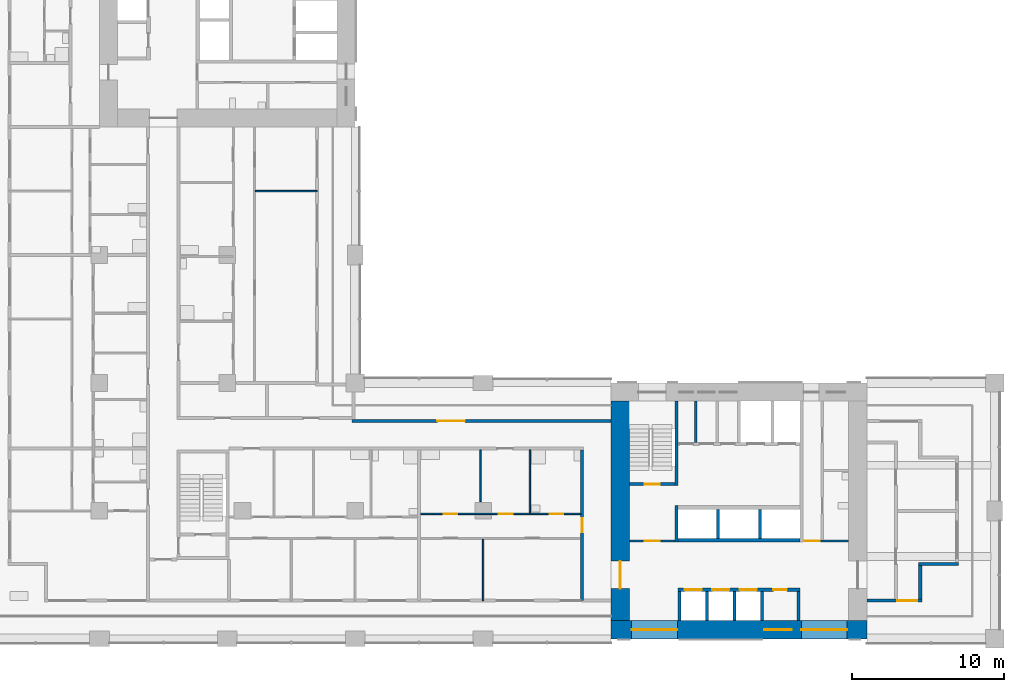
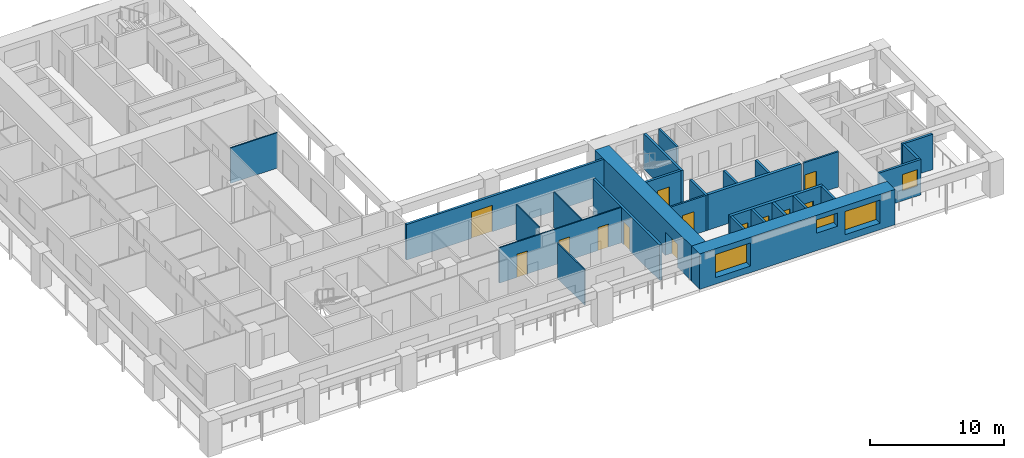
# One storey, part 5 of 17: 27 walls, 13 doors, 4 windows, 17 openings.
"""IFC4 building model written with IfcOpenShell, lengths in metres."""

from ifc_helpers import new_model, si_unit, direction, frame, frame_2d, origin, place, context, subcontext, project, spatial, rectangle, extrude, material, layer, layer_set, type_object, element, fill, save


model = new_model("IFC4")

# Units and contexts
model_context = context("Model", 3, precision=1e-05, world=origin(), true_north=direction((0.0, 1.0)))
body_context = subcontext(model_context, "Body", "Model", "MODEL_VIEW")
ifc_project = project(units=[si_unit("LENGTHUNIT", "METRE"), si_unit("AREAUNIT", "SQUARE_METRE"), si_unit("VOLUMEUNIT", "CUBIC_METRE"), si_unit("PLANEANGLEUNIT", "RADIAN"), si_unit("MASSUNIT", "GRAM", prefix="KILO")], contexts=[model_context])

# Site, building, storey
site_placement = place(None, origin())
site = spatial("IfcSite", under=ifc_project, at=site_placement, CompositionType="ELEMENT")
building_placement = place(site_placement, origin())
building = spatial("IfcBuilding", under=site, at=building_placement, Name="Vermilion Gate Residences", CompositionType="ELEMENT")
storey_placement = place(building_placement, frame((0.0, 0.0, 116.199951171875)))
storey = spatial("IfcBuildingStorey", under=building, at=storey_placement, Name="L29", CompositionType="ELEMENT", Elevation=116.199951171875)

# Wall
ifc_material_1 = material(Name="Masonry blockwork", Category="masonry")
ifc_layer_1 = layer(ifc_material_1, 0.14990234375)
ifc_layer_set_1 = layer_set([ifc_layer_1], Name="BLOCKWORK PARTITION 150 EI 120")
wall_type_1 = type_object("IfcWallType", Name="BLOCKWORK PARTITION 150 EI 120", PredefinedType="PARTITIONING", material=ifc_layer_set_1)
wall_1_placement = place(storey_placement, frame((47.554931640625, 21.300048828125, 0.0), z_axis=(0.0, 0.0, 1.0), x_axis=(0.0, 1.0, 0.0)))
element("IfcWall", 1, at=wall_1_placement, inside=storey, type_object=wall_type_1, Name="Core room partition A29-NR-P0", PredefinedType="PARTITIONING", context=body_context, shape_type="SweptSolid", body=[
    extrude(rectangle(XDim=2.699951171875, YDim=0.14990234375, at=frame_2d((1.35009765625, 0.0))), origin(), (0.0, 0.0, 1.0), 3.219970703125),
])

# Wall, opening, door
wall_2_placement = place(storey_placement, frame((43.199951171875, 14.824951171875, 0.0), z_axis=(0.0, 0.0, 1.0), x_axis=(1.0, 0.0, 0.0)))
wall_2 = element("IfcWall", 2, at=wall_2_placement, inside=storey, type_object=wall_type_1, Name="Core room partition A29-VW-S", PredefinedType="PARTITIONING", context=body_context, shape_type="SweptSolid", body=[
    extrude(rectangle(XDim=3.0, YDim=0.14990234375, at=frame_2d((1.5, 0.0))), origin(), (0.0, 0.0, 1.0), 3.219970703125),
])
opening_1_placement = place(wall_2_placement, frame((1.0, 0.0, 0.0)))
opening_1 = element("IfcOpeningElement", 3, at=opening_1_placement, cuts=wall_2, Name="Opening DK29012", PredefinedType="OPENING", context=body_context, shape_type="SweptSolid", body=[
    extrude(rectangle(XDim=1.0, YDim=2.10009765625, at=frame_2d((0.5, 1.050048828125))), frame((0.0, 0.0849609375, 0.0), z_axis=(0.0, -1.0, 0.0), x_axis=(1.0, 0.0, 0.0)), (0.0, 0.0, 1.0), 0.169921875),
])
ifc_material_2 = material(Name="Steel", Category="steel")
door_type_1 = type_object("IfcDoorType", Name="FIRE DOOR FD60 1000 X 2100", OperationType="SINGLE_SWING_LEFT", PredefinedType="DOOR", material=ifc_material_2)
door_1_placement = place(opening_1_placement, frame((1.0, 0.0, 0.0), z_axis=(0.0, 0.0, 1.0), x_axis=(-1.0, 0.0, 0.0)))
door_1 = element("IfcDoor", 4, at=door_1_placement, inside=storey, type_object=door_type_1, Name="Stair vestibule door A29", OperationType="SINGLE_SWING_RIGHT", OverallHeight=2.10009765625, OverallWidth=1.0, PredefinedType="DOOR", context=body_context, shape_type="SweptSolid", body=[
    extrude(rectangle(XDim=1.0, YDim=2.10009765625, at=frame_2d((0.5, 1.050048828125))), frame((0.0, 0.02490234375, 0.0), z_axis=(0.0, -1.0, 0.0), x_axis=(1.0, 0.0, 0.0)), (0.0, 0.0, 1.0), 0.050048828125),
])
fill(opening_1, door_1)

wall_3_placement = place(storey_placement, frame((54.60009765625, 14.824951171875, 0.0), z_axis=(0.0, 0.0, 1.0), x_axis=(1.0, 0.0, 0.0)))
wall_3 = element("IfcWall", 5, at=wall_3_placement, inside=storey, type_object=wall_type_1, Name="Core room partition A29-ES-S", PredefinedType="PARTITIONING", context=body_context, shape_type="SweptSolid", body=[
    extrude(rectangle(XDim=3.0, YDim=0.14990234375, at=frame_2d((1.5, 0.0))), origin(), (0.0, 0.0, 1.0), 3.219970703125),
])
opening_2_placement = place(wall_3_placement, frame((0.10009765625, 0.0, 0.0)))
opening_2 = element("IfcOpeningElement", 6, at=opening_2_placement, cuts=wall_3, Name="Opening DK29014", PredefinedType="OPENING", context=body_context, shape_type="SweptSolid", body=[
    extrude(rectangle(XDim=1.0, YDim=2.10009765625, at=frame_2d((0.5, 1.050048828125))), frame((0.0, 0.0849609375, 0.0), z_axis=(0.0, -1.0, 0.0), x_axis=(1.0, 0.0, 0.0)), (0.0, 0.0, 1.0), 0.169921875),
])
door_2_placement = place(opening_2_placement, frame((1.0, 0.0, 0.0), z_axis=(0.0, 0.0, 1.0), x_axis=(-1.0, 0.0, 0.0)))
door_2 = element("IfcDoor", 7, at=door_2_placement, inside=storey, type_object=door_type_1, Name="Service corridor door A29", OperationType="SINGLE_SWING_LEFT", OverallHeight=2.10009765625, OverallWidth=1.0, PredefinedType="DOOR", context=body_context, shape_type="SweptSolid", body=[
    extrude(rectangle(XDim=1.0, YDim=2.10009765625, at=frame_2d((0.5, 1.050048828125))), frame((0.0, 0.02490234375, 0.0), z_axis=(0.0, -1.0, 0.0), x_axis=(1.0, 0.0, 0.0)), (0.0, 0.0, 1.0), 0.050048828125),
])
fill(opening_2, door_2)

# Wall, opening, window
ifc_material_3 = material(Name="Insulated steel stud wall with terracotta rainscreen", Category="masonry")
ifc_layer_2 = layer(ifc_material_3, 0.199951171875)
ifc_layer_set_2 = layer_set([ifc_layer_2], Name="EXTERNAL WALL 200 TERRACOTTA RAINSCREEN")
wall_type_2 = type_object("IfcWallType", Name="EXTERNAL WALL 200 TERRACOTTA RAINSCREEN", PredefinedType="SOLIDWALL", material=ifc_layer_set_2)
wall_4_placement = place(storey_placement, frame((58.800048828125, 10.89990234375, 0.0), z_axis=(0.0, 0.0, 1.0), x_axis=(1.0, 0.0, 0.0)))
wall_4 = element("IfcWall", 8, at=wall_4_placement, inside=storey, type_object=wall_type_2, Name="External wall", PredefinedType="SOLIDWALL", context=body_context, shape_type="SweptSolid", body=[
    extrude(rectangle(XDim=3.599853515625, YDim=0.199951171875, at=frame_2d((1.7998046875, 0.0))), origin(), (0.0, 0.0, 1.0), 3.219970703125),
])
opening_3_placement = place(wall_4_placement, frame((2.0, 0.0, 0.89990234375)))
opening_3 = element("IfcOpeningElement", 9, at=opening_3_placement, cuts=wall_4, Name="Opening WE29020", PredefinedType="OPENING", context=body_context, shape_type="SweptSolid", body=[
    extrude(rectangle(XDim=1.300048828125, YDim=1.5, at=frame_2d((0.64990234375, 0.75))), frame((0.0, 0.10986328125, 0.0), z_axis=(0.0, -1.0, 0.0), x_axis=(1.0, 0.0, 0.0)), (0.0, 0.0, 1.0), 0.219970703125),
])
ifc_material_4 = material(Name="Aluminium and clear glass", Category="aluminium")
window_type_1 = type_object("IfcWindowType", Name="WINDOW 1300 X 1500", PartitioningType="SINGLE_PANEL", PredefinedType="WINDOW", material=ifc_material_4)
window_1_placement = place(opening_3_placement, origin())
window_1 = element("IfcWindow", 10, at=window_1_placement, inside=storey, type_object=window_type_1, Name="Window", OverallHeight=1.5, OverallWidth=1.300048828125, PartitioningType="SINGLE_PANEL", PredefinedType="WINDOW", context=body_context, shape_type="SweptSolid", body=[
    extrude(rectangle(XDim=1.300048828125, YDim=1.5, at=frame_2d((0.64990234375, 0.75))), frame((0.0, 0.030029296875, 0.0), z_axis=(0.0, -1.0, 0.0), x_axis=(1.0, 0.0, 0.0)), (0.0, 0.0, 1.0), 0.06005859375),
])
fill(opening_3, window_1)

# Walls
wall_5_placement = place(storey_placement, frame((62.300048828125, 11.0, 0.0), z_axis=(0.0, 0.0, 1.0), x_axis=(0.0, 1.0, 0.0)))
element("IfcWall", 11, at=wall_5_placement, inside=storey, type_object=wall_type_2, Name="External wall", PredefinedType="SOLIDWALL", context=body_context, shape_type="SweptSolid", body=[
    extrude(rectangle(XDim=2.199951171875, YDim=0.199951171875, at=frame_2d((1.10009765625, 0.0))), origin(), (0.0, 0.0, 1.0), 3.219970703125),
])
wall_6_placement = place(storey_placement, frame((62.199951171875, 13.300048828125, 0.0), z_axis=(0.0, 0.0, 1.0), x_axis=(1.0, 0.0, 0.0)))
element("IfcWall", 12, at=wall_6_placement, inside=storey, type_object=wall_type_2, Name="External wall", PredefinedType="SOLIDWALL", context=body_context, shape_type="SweptSolid", body=[
    extrude(rectangle(XDim=2.60009765625, YDim=0.199951171875, at=frame_2d((1.300048828125, 0.0))), origin(), (0.0, 0.0, 1.0), 3.219970703125),
])

# Wall, opening, door
wall_7_placement = place(storey_placement, frame((42.0, 22.699951171875, 0.0), z_axis=(0.0, 0.0, 1.0), x_axis=(-1.0, 0.0, 0.0)))
wall_7 = element("IfcWall", 13, at=wall_7_placement, inside=storey, type_object=wall_type_2, Name="External wall", PredefinedType="SOLIDWALL", context=body_context, shape_type="SweptSolid", body=[
    extrude(rectangle(XDim=17.0, YDim=0.199951171875, at=frame_2d((8.5, 0.0))), origin(), (0.0, 0.0, 1.0), 3.219970703125),
])
opening_4_placement = place(wall_7_placement, frame((9.60009765625, 0.0, 0.0)))
opening_4 = element("IfcOpeningElement", 14, at=opening_4_placement, cuts=wall_7, Name="Opening DE29029", PredefinedType="OPENING", context=body_context, shape_type="SweptSolid", body=[
    extrude(rectangle(XDim=1.800048828125, YDim=2.39990234375, at=frame_2d((0.89990234375, 1.199951171875))), frame((0.0, 0.10986328125, 0.0), z_axis=(0.0, -1.0, 0.0), x_axis=(1.0, 0.0, 0.0)), (0.0, 0.0, 1.0), 0.219970703125),
])
ifc_material_5 = material(Name="Aluminium and clear glass", Category="aluminium")
door_type_2 = type_object("IfcDoorType", Name="GLAZED EXTERNAL DOOR 1800 X 2400", OperationType="DOUBLE_DOOR_SINGLE_SWING", PredefinedType="DOOR", material=ifc_material_5)
door_3_placement = place(opening_4_placement, frame((1.800048828125, 0.0, 0.0), z_axis=(0.0, 0.0, 1.0), x_axis=(-1.0, 0.0, 0.0)))
door_3 = element("IfcDoor", 15, at=door_3_placement, inside=storey, type_object=door_type_2, Name="Gallery door", OperationType="DOUBLE_DOOR_SINGLE_SWING", OverallHeight=2.39990234375, OverallWidth=1.800048828125, PredefinedType="DOOR", context=body_context, shape_type="SweptSolid", body=[
    extrude(rectangle(XDim=1.800048828125, YDim=2.39990234375, at=frame_2d((0.89990234375, 1.199951171875))), frame((0.0, 0.02490234375, 0.0), z_axis=(0.0, -1.0, 0.0), x_axis=(1.0, 0.0, 0.0)), (0.0, 0.0, 1.0), 0.050048828125),
])
fill(opening_4, door_3)

# Wall, openings, doors
ifc_material_6 = material(Name="Plasterboard on steel studs", Category="steel")
ifc_layer_3 = layer(ifc_material_6, 0.10009765625)
ifc_layer_set_3 = layer_set([ifc_layer_3], Name="PARTITION 100")
wall_type_3 = type_object("IfcWallType", Name="PARTITION 100", PredefinedType="PARTITIONING", material=ifc_layer_set_3)
wall_8_placement = place(storey_placement, frame((29.5, 16.60009765625, 0.0), z_axis=(0.0, 0.0, 1.0), x_axis=(1.0, 0.0, 0.0)))
wall_8 = element("IfcWall", 16, at=wall_8_placement, inside=storey, type_object=wall_type_3, Name="Partition", PredefinedType="PARTITIONING", context=body_context, shape_type="SweptSolid", body=[
    extrude(rectangle(XDim=10.5, YDim=0.10009765625, at=frame_2d((5.25, 0.0))), origin(), (0.0, 0.0, 1.0), 3.219970703125),
])
opening_5_placement = place(wall_8_placement, frame((5.133056640625, 0.0, 0.0)))
opening_5 = element("IfcOpeningElement", 17, at=opening_5_placement, cuts=wall_8, Name="Opening DA28011", PredefinedType="OPENING", context=body_context, shape_type="SweptSolid", body=[
    extrude(rectangle(XDim=0.89990234375, YDim=2.10009765625, at=frame_2d((0.449951171875, 1.050048828125))), frame((0.0, 0.06005859375, 0.0), z_axis=(0.0, -1.0, 0.0), x_axis=(1.0, 0.0, 0.0)), (0.0, 0.0, 1.0), 0.1201171875),
])
opening_6_placement = place(wall_8_placement, frame((1.5, 0.0, 0.0)))
opening_6 = element("IfcOpeningElement", 18, at=opening_6_placement, cuts=wall_8, Name="Opening DA28012", PredefinedType="OPENING", context=body_context, shape_type="SweptSolid", body=[
    extrude(rectangle(XDim=0.89990234375, YDim=2.10009765625, at=frame_2d((0.449951171875, 1.050048828125))), frame((0.0, 0.06005859375, 0.0), z_axis=(0.0, -1.0, 0.0), x_axis=(1.0, 0.0, 0.0)), (0.0, 0.0, 1.0), 0.1201171875),
])
opening_7_placement = place(wall_8_placement, frame((8.467041015625, 0.0, 0.0)))
opening_7 = element("IfcOpeningElement", 19, at=opening_7_placement, cuts=wall_8, Name="Opening DA28013", PredefinedType="OPENING", context=body_context, shape_type="SweptSolid", body=[
    extrude(rectangle(XDim=0.89990234375, YDim=2.10009765625, at=frame_2d((0.449951171875, 1.050048828125))), frame((0.0, 0.06005859375, 0.0), z_axis=(0.0, -1.0, 0.0), x_axis=(1.0, 0.0, 0.0)), (0.0, 0.0, 1.0), 0.1201171875),
])
ifc_material_7 = material(Name="Timber", Category="wood")
door_type_3 = type_object("IfcDoorType", Name="INTERIOR DOOR 900 X 2100", OperationType="SINGLE_SWING_LEFT", PredefinedType="DOOR", material=ifc_material_7)
door_4_placement = place(opening_5_placement, origin())
door_4 = element("IfcDoor", 20, at=door_4_placement, inside=storey, type_object=door_type_3, Name="Interior door", OperationType="SINGLE_SWING_LEFT", OverallHeight=2.10009765625, OverallWidth=0.89990234375, PredefinedType="DOOR", context=body_context, shape_type="SweptSolid", body=[
    extrude(rectangle(XDim=0.89990234375, YDim=2.10009765625, at=frame_2d((0.449951171875, 1.050048828125))), frame((0.0, 0.02490234375, 0.0), z_axis=(0.0, -1.0, 0.0), x_axis=(1.0, 0.0, 0.0)), (0.0, 0.0, 1.0), 0.050048828125),
])
fill(opening_5, door_4)
door_5_placement = place(opening_6_placement, origin())
door_5 = element("IfcDoor", 21, at=door_5_placement, inside=storey, type_object=door_type_3, Name="Interior door", OperationType="SINGLE_SWING_RIGHT", OverallHeight=2.10009765625, OverallWidth=0.89990234375, PredefinedType="DOOR", context=body_context, shape_type="SweptSolid", body=[
    extrude(rectangle(XDim=0.89990234375, YDim=2.10009765625, at=frame_2d((0.449951171875, 1.050048828125))), frame((0.0, 0.02490234375, 0.0), z_axis=(0.0, -1.0, 0.0), x_axis=(1.0, 0.0, 0.0)), (0.0, 0.0, 1.0), 0.050048828125),
])
fill(opening_6, door_5)
door_6_placement = place(opening_7_placement, origin())
door_6 = element("IfcDoor", 22, at=door_6_placement, inside=storey, type_object=door_type_3, Name="Interior door", OperationType="SINGLE_SWING_LEFT", OverallHeight=2.10009765625, OverallWidth=0.89990234375, PredefinedType="DOOR", context=body_context, shape_type="SweptSolid", body=[
    extrude(rectangle(XDim=0.89990234375, YDim=2.10009765625, at=frame_2d((0.449951171875, 1.050048828125))), frame((0.0, 0.02490234375, 0.0), z_axis=(0.0, -1.0, 0.0), x_axis=(1.0, 0.0, 0.0)), (0.0, 0.0, 1.0), 0.050048828125),
])
fill(opening_7, door_6)

# Walls
wall_9_placement = place(storey_placement, frame((18.64990234375, 37.800048828125, 0.0), z_axis=(0.0, 0.0, 1.0), x_axis=(1.0, 0.0, 0.0)))
element("IfcWall", 23, at=wall_9_placement, inside=storey, type_object=wall_type_3, Name="Partition", PredefinedType="PARTITIONING", context=body_context, shape_type="SweptSolid", body=[
    extrude(rectangle(XDim=4.050048828125, YDim=0.10009765625, at=frame_2d((2.02490234375, 0.0))), origin(), (0.0, 0.0, 1.0), 3.219970703125),
])
wall_10_placement = place(storey_placement, frame((33.43310546875, 17.39990234375, 0.0), z_axis=(0.0, 0.0, 1.0), x_axis=(0.0, 1.0, 0.0)))
element("IfcWall", 24, at=wall_10_placement, inside=storey, type_object=wall_type_3, Name="Partition", PredefinedType="PARTITIONING", context=body_context, shape_type="SweptSolid", body=[
    extrude(rectangle(XDim=3.400146484375, YDim=0.10009765625, at=frame_2d((1.7001953125, 0.0))), origin(), (0.0, 0.0, 1.0), 3.219970703125),
])
wall_11_placement = place(storey_placement, frame((33.60009765625, 10.89990234375, 0.0), z_axis=(0.0, 0.0, 1.0), x_axis=(0.0, 1.0, 0.0)))
element("IfcWall", 25, at=wall_11_placement, inside=storey, type_object=wall_type_3, Name="Partition", PredefinedType="PARTITIONING", context=body_context, shape_type="SweptSolid", body=[
    extrude(rectangle(XDim=4.050048828125, YDim=0.10009765625, at=frame_2d((2.02490234375, 0.0))), origin(), (0.0, 0.0, 1.0), 3.219970703125),
])
wall_12_placement = place(storey_placement, frame((36.6669921875, 16.64990234375, 0.0), z_axis=(0.0, 0.0, 1.0), x_axis=(0.0, 1.0, 0.0)))
element("IfcWall", 26, at=wall_12_placement, inside=storey, type_object=wall_type_3, Name="Partition", PredefinedType="PARTITIONING", context=body_context, shape_type="SweptSolid", body=[
    extrude(rectangle(XDim=4.150146484375, YDim=0.10009765625, at=frame_2d((2.0751953125, 0.0))), origin(), (0.0, 0.0, 1.0), 3.219970703125),
])

# Wall, opening, door
ifc_material_8 = material(Name="Fire-rated plasterboard on steel studs", Category="steel")
ifc_layer_4 = layer(ifc_material_8, 0.199951171875)
ifc_layer_set_4 = layer_set([ifc_layer_4], Name="PARTY WALL 200 EI 120")
wall_type_4 = type_object("IfcWallType", Name="PARTY WALL 200 EI 120", PredefinedType="PARTITIONING", material=ifc_layer_set_4)
wall_13_placement = place(storey_placement, frame((40.10009765625, 10.89990234375, 0.0), z_axis=(0.0, 0.0, 1.0), x_axis=(0.0, 1.0, 0.0)))
wall_13 = element("IfcWall", 27, at=wall_13_placement, inside=storey, type_object=wall_type_4, Name="Party and corridor wall", PredefinedType="PARTITIONING", context=body_context, shape_type="SweptSolid", body=[
    extrude(rectangle(XDim=9.900146484375, YDim=0.199951171875, at=frame_2d((4.9501953125, 0.0))), origin(), (0.0, 0.0, 1.0), 3.219970703125),
])
opening_8_placement = place(wall_13_placement, frame((4.5, 0.0, 0.0)))
opening_8 = element("IfcOpeningElement", 28, at=opening_8_placement, cuts=wall_13, Name="Opening DA28048", PredefinedType="OPENING", context=body_context, shape_type="SweptSolid", body=[
    extrude(rectangle(XDim=0.89990234375, YDim=2.10009765625, at=frame_2d((0.449951171875, 1.050048828125))), frame((0.0, 0.10986328125, 0.0), z_axis=(0.0, -1.0, 0.0), x_axis=(1.0, 0.0, 0.0)), (0.0, 0.0, 1.0), 0.219970703125),
])
door_7_placement = place(opening_8_placement, origin())
door_7 = element("IfcDoor", 29, at=door_7_placement, inside=storey, type_object=door_type_3, Name="Interior door", OperationType="SINGLE_SWING_RIGHT", OverallHeight=2.10009765625, OverallWidth=0.89990234375, PredefinedType="DOOR", context=body_context, shape_type="SweptSolid", body=[
    extrude(rectangle(XDim=0.89990234375, YDim=2.10009765625, at=frame_2d((0.449951171875, 1.050048828125))), frame((0.0, 0.02490234375, 0.0), z_axis=(0.0, -1.0, 0.0), x_axis=(1.0, 0.0, 0.0)), (0.0, 0.0, 1.0), 0.050048828125),
])
fill(opening_8, door_7)

# Walls
ifc_material_9 = material(Name="Concrete C60", Category="concrete")
ifc_layer_5 = layer(ifc_material_9, 0.199951171875)
ifc_layer_set_5 = layer_set([ifc_layer_5], Name="RC CORE INTERNAL WALL 200 C60")
wall_type_5 = type_object("IfcWallType", Name="RC CORE INTERNAL WALL 200 C60", PredefinedType="SHEAR", material=ifc_layer_set_5)
for number, where, z_axis, x_axis, name in (
    (30, (46.5, 9.60009765625, 0.0), (0.0, 0.0, 1.0), (0.0, 1.0, 0.0), "Core internal wall A29-LR-D0"),
    (31, (48.300048828125, 9.60009765625, 0.0), (0.0, 0.0, 1.0), (0.0, 1.0, 0.0), "Core internal wall A29-LR-D1"),
    (32, (50.10009765625, 9.60009765625, 0.0), (0.0, 0.0, 1.0), (0.0, 1.0, 0.0), "Core internal wall A29-LR-D2"),
    (33, (51.89990234375, 9.60009765625, 0.0), (0.0, 0.0, 1.0), (0.0, 1.0, 0.0), "Core internal wall A29-LR-D3"),
    (34, (54.300048828125, 9.60009765625, 0.0), (0.0, 0.0, 1.0), (0.0, 1.0, 0.0), "Core internal wall A29-LR-DE"),
    (35, (49.033447265625, 15.0, 0.0), (0.0, 0.0, 1.0), (0.0, 1.0, 0.0), "Core internal wall A29-HR-D1"),
    (36, (51.7666015625, 15.0, 0.0), (0.0, 0.0, 1.0), (0.0, 1.0, 0.0), "Core internal wall A29-HR-D2"),
):
    element("IfcWall", number, at=place(storey_placement, frame(where, z_axis=z_axis, x_axis=x_axis)), inside=storey, type_object=wall_type_5, Name=name, PredefinedType="SHEAR", context=body_context, shape_type="SweptSolid", body=[
        extrude(rectangle(XDim=1.89990234375, YDim=0.199951171875, at=frame_2d((0.949951171875, 0.0))), origin(), (0.0, 0.0, 1.0), 3.219970703125),
    ])
wall_14_placement = place(storey_placement, frame((46.300048828125, 14.75, 0.0), z_axis=(0.0, 0.0, 1.0), x_axis=(0.0, 1.0, 0.0)))
element("IfcWall", 37, at=wall_14_placement, inside=storey, type_object=wall_type_5, Name="Core internal wall A29-WDIV1", PredefinedType="SHEAR", context=body_context, shape_type="SweptSolid", body=[
    extrude(rectangle(XDim=2.39990234375, YDim=0.199951171875, at=frame_2d((1.199951171875, 0.0))), origin(), (0.0, 0.0, 1.0), 3.219970703125),
])
wall_15_placement = place(storey_placement, frame((46.300048828125, 18.449951171875, 0.0), z_axis=(0.0, 0.0, 1.0), x_axis=(0.0, 1.0, 0.0)))
element("IfcWall", 38, at=wall_15_placement, inside=storey, type_object=wall_type_5, Name="Core internal wall A29-WDIV2", PredefinedType="SHEAR", context=body_context, shape_type="SweptSolid", body=[
    extrude(rectangle(XDim=5.550048828125, YDim=0.199951171875, at=frame_2d((2.77490234375, 0.0))), origin(), (0.0, 0.0, 1.0), 3.219970703125),
])

# Wall, opening, door
wall_16_placement = place(storey_placement, frame((43.199951171875, 18.550048828125, 0.0), z_axis=(0.0, 0.0, 1.0), x_axis=(1.0, 0.0, 0.0)))
wall_16 = element("IfcWall", 39, at=wall_16_placement, inside=storey, type_object=wall_type_5, Name="Core internal wall A29-STW-S", PredefinedType="SHEAR", context=body_context, shape_type="SweptSolid", body=[
    extrude(rectangle(XDim=3.0, YDim=0.199951171875, at=frame_2d((1.5, 0.0))), origin(), (0.0, 0.0, 1.0), 3.219970703125),
])
opening_9_placement = place(wall_16_placement, frame((1.0, 0.0, 0.0)))
opening_9 = element("IfcOpeningElement", 40, at=opening_9_placement, cuts=wall_16, Name="Opening DK29013", PredefinedType="OPENING", context=body_context, shape_type="SweptSolid", body=[
    extrude(rectangle(XDim=1.0, YDim=2.10009765625, at=frame_2d((0.5, 1.050048828125))), frame((0.0, 0.10986328125, 0.0), z_axis=(0.0, -1.0, 0.0), x_axis=(1.0, 0.0, 0.0)), (0.0, 0.0, 1.0), 0.219970703125),
])
door_8_placement = place(opening_9_placement, origin())
door_8 = element("IfcDoor", 41, at=door_8_placement, inside=storey, type_object=door_type_1, Name="Stair door A29", OperationType="SINGLE_SWING_LEFT", OverallHeight=2.10009765625, OverallWidth=1.0, PredefinedType="DOOR", context=body_context, shape_type="SweptSolid", body=[
    extrude(rectangle(XDim=1.0, YDim=2.10009765625, at=frame_2d((0.5, 1.050048828125))), frame((0.0, 0.02490234375, 0.0), z_axis=(0.0, -1.0, 0.0), x_axis=(1.0, 0.0, 0.0)), (0.0, 0.0, 1.0), 0.050048828125),
])
fill(opening_9, door_8)

ifc_material_10 = material(Name="Concrete C70", Category="concrete")
ifc_layer_6 = layer(ifc_material_10, 1.199951171875)
ifc_layer_set_6 = layer_set([ifc_layer_6], Name="RC CORE WALL 1200 C70")
wall_type_6 = type_object("IfcWallType", Name="RC CORE WALL 1200 C70", PredefinedType="SHEAR", material=ifc_layer_set_6)
wall_17_placement = place(storey_placement, frame((42.60009765625, 9.60009765625, 0.0), z_axis=(0.0, 0.0, 1.0), x_axis=(0.0, 1.0, 0.0)))
wall_17 = element("IfcWall", 42, at=wall_17_placement, inside=storey, type_object=wall_type_6, Name="Core wall A29-OUT-FR", PredefinedType="SHEAR", context=body_context, shape_type="SweptSolid", body=[
    extrude(rectangle(XDim=14.39990234375, YDim=1.199951171875, at=frame_2d((7.199951171875, 0.0))), origin(), (0.0, 0.0, 1.0), 3.219970703125),
])
opening_10_placement = place(wall_17_placement, frame((2.10009765625, 0.0, 0.0)))
opening_10 = element("IfcOpeningElement", 43, at=opening_10_placement, cuts=wall_17, Name="Opening DK29001", PredefinedType="OPENING", context=body_context, shape_type="SweptSolid", body=[
    extrude(rectangle(XDim=1.800048828125, YDim=2.10009765625, at=frame_2d((0.89990234375, 1.050048828125))), frame((0.0, 0.60986328125, 0.0), z_axis=(0.0, -1.0, 0.0), x_axis=(1.0, 0.0, 0.0)), (0.0, 0.0, 1.0), 1.219970703125),
])
ifc_material_11 = material(Name="Steel", Category="steel")
door_type_4 = type_object("IfcDoorType", Name="CORE LOBBY DOOR FD60 1800 X 2100", OperationType="DOUBLE_DOOR_SINGLE_SWING", PredefinedType="DOOR", material=ifc_material_11)
door_9_placement = place(opening_10_placement, frame((1.800048828125, 0.0, 0.0), z_axis=(0.0, 0.0, 1.0), x_axis=(-1.0, 0.0, 0.0)))
door_9 = element("IfcDoor", 44, at=door_9_placement, inside=storey, type_object=door_type_4, Name="Core lobby door A29", OperationType="DOUBLE_DOOR_SINGLE_SWING", OverallHeight=2.10009765625, OverallWidth=1.800048828125, PredefinedType="DOOR", context=body_context, shape_type="SweptSolid", body=[
    extrude(rectangle(XDim=1.800048828125, YDim=2.10009765625, at=frame_2d((0.89990234375, 1.050048828125))), frame((0.0, 0.02490234375, 0.0), z_axis=(0.0, -1.0, 0.0), x_axis=(1.0, 0.0, 0.0)), (0.0, 0.0, 1.0), 0.050048828125),
])
fill(opening_10, door_9)

# Wall, openings, windows
ifc_material_12 = material(Name="Concrete C70 red-oxide pigmented", Category="concrete")
ifc_layer_7 = layer(ifc_material_12, 1.199951171875)
ifc_layer_set_7 = layer_set([ifc_layer_7], Name="RC CORE WALL 1200 C70 RED OXIDE")
wall_type_7 = type_object("IfcWallType", Name="RC CORE WALL 1200 C70 RED OXIDE", PredefinedType="SHEAR", material=ifc_layer_set_7)
wall_18_placement = place(storey_placement, frame((42.0, 9.0, 0.0), z_axis=(0.0, 0.0, 1.0), x_axis=(1.0, 0.0, 0.0)))
wall_18 = element("IfcWall", 45, at=wall_18_placement, inside=storey, type_object=wall_type_7, Name="Core wall A29-OUT-B0", PredefinedType="SHEAR", context=body_context, shape_type="SweptSolid", body=[
    extrude(rectangle(XDim=16.800048828125, YDim=1.199951171875, at=frame_2d((8.39990234375, 0.0))), origin(), (0.0, 0.0, 1.0), 3.219970703125),
])
opening_11_placement = place(wall_18_placement, frame((1.35009765625, 0.0, 0.60009765625)))
opening_11 = element("IfcOpeningElement", 46, at=opening_11_placement, cuts=wall_18, Name="Opening WKA2901", PredefinedType="OPENING", context=body_context, shape_type="SweptSolid", body=[
    extrude(rectangle(XDim=3.0, YDim=2.10009765625, at=frame_2d((1.5, 1.050048828125))), frame((0.0, 0.60986328125, 0.0), z_axis=(0.0, -1.0, 0.0), x_axis=(1.0, 0.0, 0.0)), (0.0, 0.0, 1.0), 1.219970703125),
])
opening_12_placement = place(wall_18_placement, frame((10.050048828125, 0.0, 1.60009765625)))
opening_12 = element("IfcOpeningElement", 47, at=opening_12_placement, cuts=wall_18, Name="Opening WKA2902", PredefinedType="OPENING", context=body_context, shape_type="SweptSolid", body=[
    extrude(rectangle(XDim=1.800048828125, YDim=1.199951171875, at=frame_2d((0.89990234375, 0.60009765625))), frame((0.0, 0.60986328125, 0.0), z_axis=(0.0, -1.0, 0.0), x_axis=(1.0, 0.0, 0.0)), (0.0, 0.0, 1.0), 1.219970703125),
])
opening_13_placement = place(wall_18_placement, frame((12.5, 0.0, 0.60009765625)))
opening_13 = element("IfcOpeningElement", 48, at=opening_13_placement, cuts=wall_18, Name="Opening WKA2903", PredefinedType="OPENING", context=body_context, shape_type="SweptSolid", body=[
    extrude(rectangle(XDim=3.0, YDim=2.10009765625, at=frame_2d((1.5, 1.050048828125))), frame((0.0, 0.60986328125, 0.0), z_axis=(0.0, -1.0, 0.0), x_axis=(1.0, 0.0, 0.0)), (0.0, 0.0, 1.0), 1.219970703125),
])
ifc_material_13 = material(Name="Aluminium and clear glass", Category="aluminium")
window_type_2 = type_object("IfcWindowType", Name="CORE LOBBY WINDOW 3000 X 2100", PartitioningType="SINGLE_PANEL", PredefinedType="WINDOW", material=ifc_material_13)
window_2_placement = place(opening_11_placement, origin())
window_2 = element("IfcWindow", 49, at=window_2_placement, inside=storey, type_object=window_type_2, Name="Core lobby window", OverallHeight=2.10009765625, OverallWidth=3.0, PartitioningType="SINGLE_PANEL", PredefinedType="WINDOW", context=body_context, shape_type="SweptSolid", body=[
    extrude(rectangle(XDim=3.0, YDim=2.10009765625, at=frame_2d((1.5, 1.050048828125))), frame((0.0, 0.030029296875, 0.0), z_axis=(0.0, -1.0, 0.0), x_axis=(1.0, 0.0, 0.0)), (0.0, 0.0, 1.0), 0.06005859375),
])
fill(opening_11, window_2)
window_3_placement = place(opening_13_placement, origin())
window_3 = element("IfcWindow", 50, at=window_3_placement, inside=storey, type_object=window_type_2, Name="Core lobby window", OverallHeight=2.10009765625, OverallWidth=3.0, PartitioningType="SINGLE_PANEL", PredefinedType="WINDOW", context=body_context, shape_type="SweptSolid", body=[
    extrude(rectangle(XDim=3.0, YDim=2.10009765625, at=frame_2d((1.5, 1.050048828125))), frame((0.0, 0.030029296875, 0.0), z_axis=(0.0, -1.0, 0.0), x_axis=(1.0, 0.0, 0.0)), (0.0, 0.0, 1.0), 0.06005859375),
])
fill(opening_13, window_3)
ifc_material_14 = material(Name="Aluminium frame with louvre blades", Category="aluminium")
window_type_3 = type_object("IfcWindowType", Name="CORE LOUVRE 1800 X 1200", PartitioningType="SINGLE_PANEL", PredefinedType="WINDOW", material=ifc_material_14)
window_4_placement = place(opening_12_placement, origin())
window_4 = element("IfcWindow", 51, at=window_4_placement, inside=storey, type_object=window_type_3, Name="Core louvre", OverallHeight=1.199951171875, OverallWidth=1.800048828125, PartitioningType="SINGLE_PANEL", PredefinedType="WINDOW", context=body_context, shape_type="SweptSolid", body=[
    extrude(rectangle(XDim=1.800048828125, YDim=1.199951171875, at=frame_2d((0.89990234375, 0.60009765625))), frame((0.0, 0.030029296875, 0.0), z_axis=(0.0, -1.0, 0.0), x_axis=(1.0, 0.0, 0.0)), (0.0, 0.0, 1.0), 0.06005859375),
])
fill(opening_12, window_4)

# Wall, openings, doors
ifc_material_15 = material(Name="Concrete C60", Category="concrete")
ifc_layer_8 = layer(ifc_material_15, 0.25)
ifc_layer_set_8 = layer_set([ifc_layer_8], Name="RC LIFT SHAFT WALL 250 C60")
wall_type_8 = type_object("IfcWallType", Name="RC LIFT SHAFT WALL 250 C60", PredefinedType="SHEAR", material=ifc_layer_set_8)
wall_19_placement = place(storey_placement, frame((46.39990234375, 11.625, 0.0), z_axis=(0.0, 0.0, 1.0), x_axis=(1.0, 0.0, 0.0)))
wall_19 = element("IfcWall", 52, at=wall_19_placement, inside=storey, type_object=wall_type_8, Name="Lift shaft wall A29-LR-F", PredefinedType="SHEAR", context=body_context, shape_type="SweptSolid", body=[
    extrude(rectangle(XDim=8.0, YDim=0.25, at=frame_2d((4.0, 0.0))), origin(), (0.0, 0.0, 1.0), 3.219970703125),
])
opening_14_placement = place(wall_19_placement, frame((0.449951171875, 0.0, 0.0)))
opening_14 = element("IfcOpeningElement", 53, at=opening_14_placement, cuts=wall_19, Name="Opening LD", PredefinedType="OPENING", context=body_context, shape_type="SweptSolid", body=[
    extrude(rectangle(XDim=1.10009765625, YDim=2.10009765625, at=frame_2d((0.550048828125, 1.050048828125))), frame((0.0, 0.135009765625, 0.0), z_axis=(0.0, -1.0, 0.0), x_axis=(1.0, 0.0, 0.0)), (0.0, 0.0, 1.0), 0.27001953125),
])
opening_15_placement = place(wall_19_placement, frame((2.25, 0.0, 0.0)))
opening_15 = element("IfcOpeningElement", 54, at=opening_15_placement, cuts=wall_19, Name="Opening LD", PredefinedType="OPENING", context=body_context, shape_type="SweptSolid", body=[
    extrude(rectangle(XDim=1.10009765625, YDim=2.10009765625, at=frame_2d((0.550048828125, 1.050048828125))), frame((0.0, 0.135009765625, 0.0), z_axis=(0.0, -1.0, 0.0), x_axis=(1.0, 0.0, 0.0)), (0.0, 0.0, 1.0), 0.27001953125),
])
opening_16_placement = place(wall_19_placement, frame((4.050048828125, 0.0, 0.0)))
opening_16 = element("IfcOpeningElement", 55, at=opening_16_placement, cuts=wall_19, Name="Opening LD", PredefinedType="OPENING", context=body_context, shape_type="SweptSolid", body=[
    extrude(rectangle(XDim=1.10009765625, YDim=2.10009765625, at=frame_2d((0.550048828125, 1.050048828125))), frame((0.0, 0.135009765625, 0.0), z_axis=(0.0, -1.0, 0.0), x_axis=(1.0, 0.0, 0.0)), (0.0, 0.0, 1.0), 0.27001953125),
])
opening_17_placement = place(wall_19_placement, frame((6.25, 0.0, 0.0)))
opening_17 = element("IfcOpeningElement", 56, at=opening_17_placement, cuts=wall_19, Name="Opening DK29006", PredefinedType="OPENING", context=body_context, shape_type="SweptSolid", body=[
    extrude(rectangle(XDim=0.89990234375, YDim=2.10009765625, at=frame_2d((0.449951171875, 1.050048828125))), frame((0.0, 0.135009765625, 0.0), z_axis=(0.0, -1.0, 0.0), x_axis=(1.0, 0.0, 0.0)), (0.0, 0.0, 1.0), 0.27001953125),
])
ifc_material_16 = material(Name="Stainless steel", Category="steel")
door_type_5 = type_object("IfcDoorType", Name="LIFT LANDING DOOR E60 1100 X 2100", OperationType="DOUBLE_DOOR_SLIDING", PredefinedType="DOOR", material=ifc_material_16)
door_10_placement = place(opening_14_placement, origin())
door_10 = element("IfcDoor", 57, at=door_10_placement, inside=storey, type_object=door_type_5, Name="Lift landing door LRA1", OperationType="DOUBLE_DOOR_SLIDING", OverallHeight=2.10009765625, OverallWidth=1.10009765625, PredefinedType="DOOR", context=body_context, shape_type="SweptSolid", body=[
    extrude(rectangle(XDim=1.10009765625, YDim=2.10009765625, at=frame_2d((0.550048828125, 1.050048828125))), frame((0.0, 0.02490234375, 0.0), z_axis=(0.0, -1.0, 0.0), x_axis=(1.0, 0.0, 0.0)), (0.0, 0.0, 1.0), 0.050048828125),
])
fill(opening_14, door_10)
door_11_placement = place(opening_15_placement, origin())
door_11 = element("IfcDoor", 58, at=door_11_placement, inside=storey, type_object=door_type_5, Name="Lift landing door LRA2", OperationType="DOUBLE_DOOR_SLIDING", OverallHeight=2.10009765625, OverallWidth=1.10009765625, PredefinedType="DOOR", context=body_context, shape_type="SweptSolid", body=[
    extrude(rectangle(XDim=1.10009765625, YDim=2.10009765625, at=frame_2d((0.550048828125, 1.050048828125))), frame((0.0, 0.02490234375, 0.0), z_axis=(0.0, -1.0, 0.0), x_axis=(1.0, 0.0, 0.0)), (0.0, 0.0, 1.0), 0.050048828125),
])
fill(opening_15, door_11)
door_12_placement = place(opening_16_placement, origin())
door_12 = element("IfcDoor", 59, at=door_12_placement, inside=storey, type_object=door_type_5, Name="Lift landing door LRA3", OperationType="DOUBLE_DOOR_SLIDING", OverallHeight=2.10009765625, OverallWidth=1.10009765625, PredefinedType="DOOR", context=body_context, shape_type="SweptSolid", body=[
    extrude(rectangle(XDim=1.10009765625, YDim=2.10009765625, at=frame_2d((0.550048828125, 1.050048828125))), frame((0.0, 0.02490234375, 0.0), z_axis=(0.0, -1.0, 0.0), x_axis=(1.0, 0.0, 0.0)), (0.0, 0.0, 1.0), 0.050048828125),
])
fill(opening_16, door_12)
ifc_material_17 = material(Name="Steel", Category="steel")
door_type_6 = type_object("IfcDoorType", Name="SERVICE ROOM DOOR FD60 900 X 2100", OperationType="SINGLE_SWING_LEFT", PredefinedType="DOOR", material=ifc_material_17)
door_13_placement = place(opening_17_placement, frame((0.89990234375, 0.0, 0.0), z_axis=(0.0, 0.0, 1.0), x_axis=(-1.0, 0.0, 0.0)))
door_13 = element("IfcDoor", 60, at=door_13_placement, inside=storey, type_object=door_type_6, Name="Cleaner's store A29", OperationType="SINGLE_SWING_RIGHT", OverallHeight=2.10009765625, OverallWidth=0.89990234375, PredefinedType="DOOR", context=body_context, shape_type="SweptSolid", body=[
    extrude(rectangle(XDim=0.89990234375, YDim=2.10009765625, at=frame_2d((0.449951171875, 1.050048828125))), frame((0.0, 0.02490234375, 0.0), z_axis=(0.0, -1.0, 0.0), x_axis=(1.0, 0.0, 0.0)), (0.0, 0.0, 1.0), 0.050048828125),
])
fill(opening_17, door_13)

# Wall
wall_20_placement = place(storey_placement, frame((46.39990234375, 14.875, 0.0), z_axis=(0.0, 0.0, 1.0), x_axis=(1.0, 0.0, 0.0)))
element("IfcWall", 61, at=wall_20_placement, inside=storey, type_object=wall_type_8, Name="Lift shaft wall A29-HR-F", PredefinedType="SHEAR", context=body_context, shape_type="SweptSolid", body=[
    extrude(rectangle(XDim=8.0, YDim=0.25, at=frame_2d((4.0, 0.0))), origin(), (0.0, 0.0, 1.0), 3.219970703125),
])

save(model, "model.ifc")
